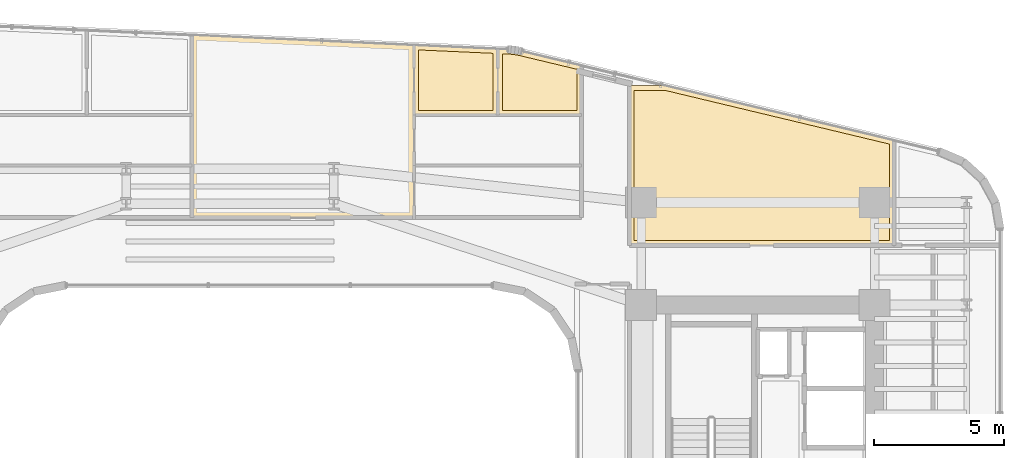
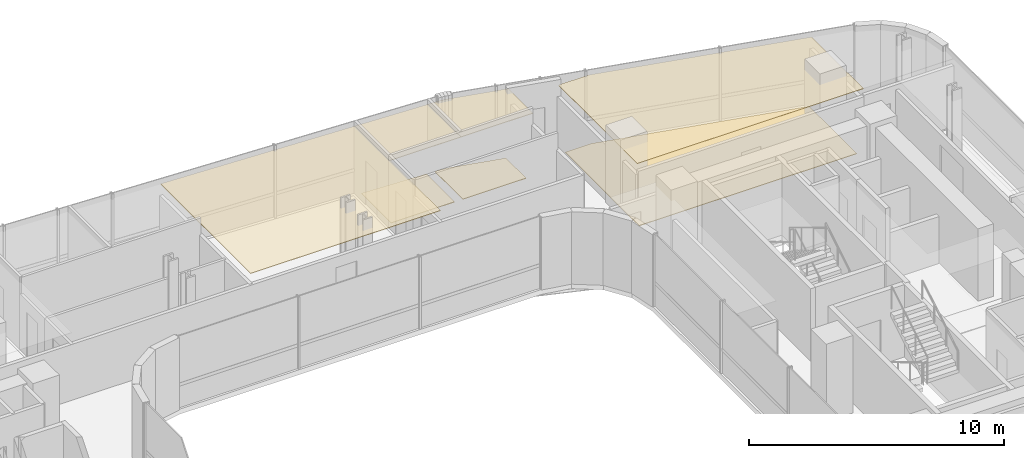
# One storey, part 36 of 36: 7 coverings.
"""IFC4 building model written with IfcOpenShell, lengths in metres."""

import ifcopenshell
import ifcopenshell.guid

model = None  # the IFC model being written
_history = None  # IfcOwnerHistory: only IFC2X3 demands one
_inside = {}  # id of a spatial element -> (the spatial element, [elements in it])
_under = {}  # id of a project, library or spatial element -> (it, [spatial elements below it])
_declared = {}  # id of a project -> (the project, [libraries it declares])
_typed = {}  # id of a type object -> (the type object, [elements of that type])
_made_of = {}  # id of a material, layer set ... -> (it, [elements and type objects made of it])


def new_model(schema):
    """Start an empty IFC model of exactly this schema.

    Asked for "IFC4X3", IfcOpenShell would pick the latest addendum, in which some entities
    have other attributes; the version numbers below select the first issue.
    IFC2X3 requires an IfcOwnerHistory on every rooted entity: one is made here for all.
    """
    global model, _history
    if schema == "IFC4X3":
        model = ifcopenshell.file(schema_version=(4, 3, 0, 0))
    else:
        model = ifcopenshell.file(schema=schema)
    _inside.clear()
    _under.clear()
    _declared.clear()
    _typed.clear()
    _made_of.clear()
    _history = None
    if model.schema == "IFC2X3":
        org = make("IfcOrganization", Name="unknown")
        user = make(
            "IfcPersonAndOrganization",
            ThePerson=make("IfcPerson", FamilyName="unknown"),
            TheOrganization=org,
        )
        app = make(
            "IfcApplication",
            ApplicationDeveloper=org,
            Version="unknown",
            ApplicationFullName="unknown",
            ApplicationIdentifier="unknown",
        )
        _history = make(
            "IfcOwnerHistory",
            OwningUser=user,
            OwningApplication=app,
            ChangeAction="ADDED",
            CreationDate=0,
        )
    return model


def make(cls, **values):
    """One entity of the class cls with the attributes given. An attribute that is None is left unset."""
    return model.create_entity(
        cls, **{name: value for name, value in values.items() if value is not None}
    )


def rooted(cls, **values):
    """An entity with a GlobalId (a new one), such as an element, a storey or a relation."""
    return make(cls, GlobalId=ifcopenshell.guid.new(), OwnerHistory=_history, **values)


def si_unit(unit_type, name, prefix=None):
    """IfcSIUnit, for example si_unit("LENGTHUNIT", "METRE", prefix="MILLI")."""
    return make("IfcSIUnit", UnitType=unit_type, Prefix=prefix, Name=name)


def assignment(units):
    """IfcUnitAssignment: the units of a project."""
    return None if units is None else make("IfcUnitAssignment", Units=units)


def point(xyz):
    """IfcCartesianPoint."""
    return None if xyz is None else make("IfcCartesianPoint", Coordinates=xyz)


def direction(xyz):
    """IfcDirection."""
    return None if xyz is None else make("IfcDirection", DirectionRatios=xyz)


def frame(location, z_axis=None, x_axis=None):
    """IfcAxis2Placement3D, a coordinate frame: its origin and axes. An axis left out is left unset."""
    return make(
        "IfcAxis2Placement3D",
        Location=point(location),
        Axis=direction(z_axis),
        RefDirection=direction(x_axis),
    )


def origin():
    """The frame at (0, 0, 0) with its axes left unset."""
    return frame((0.0, 0.0, 0.0))


def place(relative_to, where):
    """IfcLocalPlacement: puts the frame where relative to a parent placement (None: the world)."""
    return make(
        "IfcLocalPlacement", PlacementRelTo=relative_to, RelativePlacement=where
    )


def context(
    kind, dimensions, precision=None, world=None, true_north=None, identifier=None
):
    """IfcGeometricRepresentationContext, for example the 3D "Model" context."""
    return make(
        "IfcGeometricRepresentationContext",
        ContextIdentifier=identifier,
        ContextType=kind,
        CoordinateSpaceDimension=dimensions,
        Precision=precision,
        WorldCoordinateSystem=world,
        TrueNorth=true_north,
    )


def subcontext(parent, identifier, kind, view, scale=None):
    """IfcGeometricRepresentationSubContext, for example "Body" below "Model"."""
    return make(
        "IfcGeometricRepresentationSubContext",
        ContextIdentifier=identifier,
        ContextType=kind,
        ParentContext=parent,
        TargetScale=scale,
        TargetView=view,
    )


def project(units=None, contexts=None):
    """IfcProject with its units and contexts."""
    return rooted(
        "IfcProject",
        Name="project",
        RepresentationContexts=contexts,
        UnitsInContext=assignment(units),
    )


def spatial(cls, under=None, at=None, **own):
    """A site, building, storey or space (cls), placed at a placement, below another one or the project."""
    s = rooted(cls, ObjectPlacement=at, **own)
    if under is not None:
        _under.setdefault(under.id(), (under, []))[1].append(s)
    return s


def polyline(points):
    """IfcPolyline through the points."""
    return make("IfcPolyline", Points=[point(p) for p in points])


def outline(outer, holes=None, kind="AREA"):
    """IfcArbitraryClosedProfileDef: a profile drawn as a closed curve; with holes, ...WithVoids."""
    if holes is None:
        return make("IfcArbitraryClosedProfileDef", ProfileType=kind, OuterCurve=outer)
    return make(
        "IfcArbitraryProfileDefWithVoids",
        ProfileType=kind,
        OuterCurve=outer,
        InnerCurves=holes,
    )


def extrude(swept, where, along, depth):
    """IfcExtrudedAreaSolid: the profile swept, set in the frame where, extruded along a direction by depth."""
    return make(
        "IfcExtrudedAreaSolid",
        SweptArea=swept,
        Position=where,
        ExtrudedDirection=direction(along),
        Depth=depth,
    )


def shape(context_of_items, identifier, shape_type, items):
    """IfcShapeRepresentation: the items that make up one representation, for example the "Body"."""
    return make(
        "IfcShapeRepresentation",
        ContextOfItems=context_of_items,
        RepresentationIdentifier=identifier,
        RepresentationType=shape_type,
        Items=items,
    )


def material(Name=None, Category=None):
    """IfcMaterial."""
    return make("IfcMaterial", Name=Name, Category=Category)


def layer(
    of_material, thickness, ventilated=None, Name=None, Category=None, Priority=None
):
    """IfcMaterialLayer: one layer of a wall or slab, of a material (None: an air gap)."""
    return make(
        "IfcMaterialLayer",
        Material=of_material,
        LayerThickness=thickness,
        IsVentilated=ventilated,
        Name=Name,
        Category=Category,
        Priority=Priority,
    )


def layer_set(layers, Name=None):
    """IfcMaterialLayerSet."""
    return make("IfcMaterialLayerSet", MaterialLayers=layers, LayerSetName=Name)


def made_of(thing, what):
    """Note that an element or type object is made of a material, layer set ...; save() writes the relation."""
    if what is not None:
        _made_of.setdefault(what.id(), (what, []))[1].append(thing)
    return thing


def type_object(cls, material=None, **own):
    """A type object (cls), such as IfcWallType, which elements share."""
    return made_of(rooted(cls, **own), material)


def element(
    cls,
    number,
    at=None,
    inside=None,
    cuts=None,
    type_object=None,
    material=None,
    context=None,
    identifier="Body",
    shape_type=None,
    held_by="IfcProductDefinitionShape",
    body=None,
    shapes=None,
    **own,
):
    """One element of the class cls, such as IfcWall. Its Tag is "e" and its number.

    at: its placement. inside: the storey or other place that contains it. cuts: it is an
    opening in that element (IfcRelVoidsElement). A single representation is given by context,
    identifier, shape_type and body (its items); several are given by shapes. held_by: the class
    of the entity that holds the representations. save() writes the other relations.
    """
    e = rooted(cls, Tag="e%d" % number, ObjectPlacement=at, **own)
    if body is not None:
        shapes = [shape(context, identifier, shape_type, body)]
    if shapes is not None:
        e.Representation = make(held_by, Representations=shapes)
    if inside is not None:
        _inside.setdefault(inside.id(), (inside, []))[1].append(e)
    if cuts is not None:
        rooted(
            "IfcRelVoidsElement", RelatingBuildingElement=cuts, RelatedOpeningElement=e
        )
    if type_object is not None:
        _typed.setdefault(type_object.id(), (type_object, []))[1].append(e)
    return made_of(e, material)


def aggregate(whole, parts):
    """IfcRelAggregates: a whole, such as a stair, and the parts it consists of."""
    return rooted("IfcRelAggregates", RelatingObject=whole, RelatedObjects=parts)


def save(model, path):
    """Write the relations noted so far, then the file.

    IfcRelAggregates (storeys below a building ...), IfcRelContainedInSpatialStructure (elements
    in a storey), IfcRelDefinesByType, IfcRelAssociatesMaterial and IfcRelDeclares: one each for
    every whole, place, type object, material and project.
    """
    for whole, parts in _under.values():
        aggregate(whole, parts)
    for where, things in _inside.values():
        rooted(
            "IfcRelContainedInSpatialStructure",
            RelatedElements=things,
            RelatingStructure=where,
        )
    for kind, things in _typed.values():
        rooted("IfcRelDefinesByType", RelatedObjects=things, RelatingType=kind)
    for what, things in _made_of.values():
        rooted("IfcRelAssociatesMaterial", RelatedObjects=things, RelatingMaterial=what)
    for by, libraries in _declared.values():
        rooted("IfcRelDeclares", RelatingContext=by, RelatedDefinitions=libraries)
    model.write(path)


model = new_model("IFC4")

# Units and contexts
model_context = context("Model", 3, precision=1e-05, world=origin(), true_north=direction((0.0, 1.0)))
body_context = subcontext(model_context, "Body", "Model", "MODEL_VIEW")
ifc_project = project(units=[si_unit("LENGTHUNIT", "METRE"), si_unit("AREAUNIT", "SQUARE_METRE"), si_unit("VOLUMEUNIT", "CUBIC_METRE"), si_unit("PLANEANGLEUNIT", "RADIAN"), si_unit("MASSUNIT", "GRAM", prefix="KILO")], contexts=[model_context])

# Site, building, storey
site_placement = place(None, origin())
site = spatial("IfcSite", under=ifc_project, at=site_placement, CompositionType="ELEMENT")
building_placement = place(site_placement, origin())
building = spatial("IfcBuilding", under=site, at=building_placement, Name="Valdorenza Pilgrim Sanctuary Tower", CompositionType="ELEMENT")
storey_placement = place(building_placement, frame((0.0, 0.0, 109.39990234375)))
storey = spatial("IfcBuildingStorey", under=building, at=storey_placement, Name="L27", CompositionType="ELEMENT", Elevation=109.39990234375)

# Coverings
ifc_material_1 = material(Name="Micro-perforated acoustic mineral ceiling tile", Category="gypsum")
ifc_layer_1 = layer(ifc_material_1, 0.02490234375, Name="Micro-perforated acoustic mineral ceiling tile")
ifc_layer_set_1 = layer_set([ifc_layer_1], Name="Micro-perforated acoustic mineral ceiling tile")
covering_type_1 = type_object("IfcCoveringType", Name="COV-CLG-ACU", PredefinedType="CEILING", material=ifc_layer_set_1)
covering_1_placement = place(storey_placement, frame((0.0, 0.0, 3.16015625)))
element("IfcCovering", 1, at=covering_1_placement, inside=storey, type_object=covering_type_1, Name="L27 North Family Flat L27-N3 Bedroom 1 Acoustic Ceiling", PredefinedType="CEILING", context=body_context, shape_type="SweptSolid", body=[
    extrude(outline(polyline([(7.0908203125, 16.85498046875), (7.08935546875, 16.85498046875), (7.087890625, 16.855224609375), (7.08642578125, 16.855712890625), (7.085205078125, 16.856201171875), (7.083740234375, 16.856689453125), (7.08251953125, 16.857421875), (7.081298828125, 16.8583984375), (7.080078125, 16.859375), (7.0791015625, 16.860595703125), (7.078369140625, 16.86181640625), (7.07763671875, 16.86279296875), (7.076904296875, 16.8642578125), (7.076416015625, 16.865478515625), (7.076171875, 16.8671875), (7.075927734375, 16.868408203125), (7.07568359375, 16.8701171875), (7.07568359375, 19.567626953125), (7.075927734375, 19.569091796875), (7.076171875, 19.570556640625), (7.076416015625, 19.572021484375), (7.076904296875, 19.573486328125), (7.07763671875, 19.57470703125), (7.07861328125, 19.576171875), (7.079345703125, 19.577392578125), (7.080322265625, 19.578369140625), (7.08154296875, 19.579345703125), (7.082763671875, 19.580322265625), (7.083984375, 19.5810546875), (7.08544921875, 19.58154296875), (7.0869140625, 19.58203125), (7.08837890625, 19.58251953125), (7.090087890625, 19.58251953125), (7.091552734375, 19.58251953125), (10.321044921875, 19.435791015625), (10.322509765625, 19.435546875), (10.323974609375, 19.435302734375), (10.3251953125, 19.43505859375), (10.32666015625, 19.434326171875), (10.327880859375, 19.433837890625), (10.3291015625, 19.43310546875), (10.330078125, 19.43212890625), (10.331298828125, 19.43115234375), (10.332275390625, 19.43017578125), (10.3330078125, 19.428955078125), (10.333740234375, 19.427734375), (10.334228515625, 19.426513671875), (10.334716796875, 19.425048828125), (10.335205078125, 19.423583984375), (10.335205078125, 19.422119140625), (10.33544921875, 19.4208984375), (10.33544921875, 16.8701171875), (10.335205078125, 16.868408203125), (10.335205078125, 16.8671875), (10.334716796875, 16.865478515625), (10.334228515625, 16.8642578125), (10.33349609375, 16.86279296875), (10.3330078125, 16.86181640625), (10.33203125, 16.860595703125), (10.3310546875, 16.859375), (10.329833984375, 16.8583984375), (10.32861328125, 16.857421875), (10.327392578125, 16.856689453125), (10.326171875, 16.856201171875), (10.32470703125, 16.855712890625), (10.3232421875, 16.855224609375), (10.322021484375, 16.85498046875), (10.3203125, 16.85498046875), (7.0908203125, 16.85498046875)])), origin(), (0.0, 0.0, 1.0), 0.02490234375),
])
covering_2_placement = place(storey_placement, frame((0.0, 0.0, 3.16015625)))
element("IfcCovering", 2, at=covering_2_placement, inside=storey, type_object=covering_type_1, Name="L27 North Family Flat L27-N3 Bedroom 2 Acoustic Ceiling", PredefinedType="CEILING", context=body_context, shape_type="SweptSolid", body=[
    extrude(outline(polyline([(10.322509765625, 16.85498046875), (10.32080078125, 16.85498046875), (10.319580078125, 16.855224609375), (10.318115234375, 16.855712890625), (10.316650390625, 16.856201171875), (10.315185546875, 16.856689453125), (10.314208984375, 16.857421875), (10.31298828125, 16.8583984375), (10.311767578125, 16.859375), (10.310791015625, 16.860595703125), (10.309814453125, 16.86181640625), (10.30908203125, 16.86279296875), (10.30859375, 16.8642578125), (10.30810546875, 16.865478515625), (10.3076171875, 16.8671875), (10.3076171875, 16.868408203125), (10.307373046875, 16.8701171875), (10.307373046875, 19.420654296875), (10.3076171875, 19.422119140625), (10.3076171875, 19.423583984375), (10.30810546875, 19.42529296875), (10.30859375, 19.426513671875), (10.309326171875, 19.427978515625), (10.31005859375, 19.42919921875), (10.31103515625, 19.430419921875), (10.31201171875, 19.431396484375), (10.313232421875, 19.4326171875), (10.314453125, 19.433349609375), (10.315673828125, 19.43408203125), (10.317138671875, 19.434814453125), (10.318603515625, 19.435302734375), (10.320068359375, 19.435546875), (10.321533203125, 19.435791015625), (10.322998046875, 19.435791015625), (10.690673828125, 19.4189453125), (10.69091796875, 19.4189453125), (10.838134765625, 19.40869140625), (10.8388671875, 19.40869140625), (10.984375, 19.3916015625), (10.985107421875, 19.3916015625), (11.12939453125, 19.36767578125), (11.130126953125, 19.36767578125), (11.274658203125, 19.336669921875), (11.27490234375, 19.33642578125), (13.553466796875, 18.791015625), (13.554931640625, 18.790771484375), (13.55615234375, 18.790283203125), (13.5576171875, 18.78955078125), (13.55859375, 18.788818359375), (13.559814453125, 18.787841796875), (13.560791015625, 18.786865234375), (13.561767578125, 18.785888671875), (13.5625, 18.78466796875), (13.563232421875, 18.783447265625), (13.56396484375, 18.781982421875), (13.564453125, 18.78076171875), (13.564697265625, 18.779296875), (13.56494140625, 18.778076171875), (13.56494140625, 18.776611328125), (13.56494140625, 16.8701171875), (13.56494140625, 16.868408203125), (13.564697265625, 16.8671875), (13.564453125, 16.865478515625), (13.56396484375, 16.8642578125), (13.563232421875, 16.86279296875), (13.5625, 16.86181640625), (13.5615234375, 16.860595703125), (13.560546875, 16.859375), (13.5595703125, 16.8583984375), (13.558349609375, 16.857421875), (13.55712890625, 16.856689453125), (13.5556640625, 16.856201171875), (13.554443359375, 16.855712890625), (13.552978515625, 16.855224609375), (13.551513671875, 16.85498046875), (13.550048828125, 16.85498046875), (10.322509765625, 16.85498046875)])), origin(), (0.0, 0.0, 1.0), 0.02490234375),
])
covering_3_placement = place(storey_placement, frame((0.0, 0.0, 3.16015625)))
element("IfcCovering", 3, at=covering_3_placement, inside=storey, type_object=covering_type_1, Name="L27 North Family Flat L27-N3 Living Room Acoustic Ceiling", PredefinedType="CEILING", context=body_context, shape_type="SweptSolid", body=[
    extrude(outline(polyline([(-1.47998046875, 14.918212890625), (-1.47998046875, 14.9189453125), (-1.480224609375, 14.92041015625), (-1.480224609375, 14.922119140625), (-1.47998046875, 14.923583984375), (-1.47998046875, 14.923828125), (-1.47998046875, 16.8662109375), (-1.47998046875, 16.866943359375), (-1.480224609375, 16.868408203125), (-1.480224609375, 16.8701171875), (-1.47998046875, 16.87158203125), (-1.47998046875, 16.871826171875), (-1.47998046875, 19.95654296875), (-1.47998046875, 19.9580078125), (-1.479736328125, 19.95947265625), (-1.479248046875, 19.9609375), (-1.478759765625, 19.96240234375), (-1.47802734375, 19.963623046875), (-1.477294921875, 19.965087890625), (-1.476318359375, 19.96630859375), (-1.475341796875, 19.96728515625), (-1.47412109375, 19.96826171875), (-1.472900390625, 19.96923828125), (-1.4716796875, 19.969970703125), (-1.47021484375, 19.970458984375), (-1.46875, 19.970947265625), (-1.46728515625, 19.97119140625), (-1.4658203125, 19.971435546875), (-1.46435546875, 19.971435546875), (7.089599609375, 19.58251953125), (7.0908203125, 19.58251953125), (7.09228515625, 19.582275390625), (7.09375, 19.581787109375), (7.094970703125, 19.581298828125), (7.09619140625, 19.580810546875), (7.097412109375, 19.579833984375), (7.0986328125, 19.5791015625), (7.099609375, 19.577880859375), (7.1005859375, 19.576904296875), (7.101318359375, 19.57568359375), (7.10205078125, 19.574462890625), (7.102783203125, 19.5732421875), (7.103271484375, 19.572021484375), (7.103515625, 19.570556640625), (7.103759765625, 19.569091796875), (7.103759765625, 19.567626953125), (7.103759765625, 16.87548828125), (7.10400390625, 16.875), (7.104736328125, 16.87353515625), (7.105224609375, 16.872314453125), (7.10546875, 16.870849609375), (7.105712890625, 16.869384765625), (7.105712890625, 16.867919921875), (7.105712890625, 12.919921875), (7.105712890625, 12.91845703125), (7.10546875, 12.9169921875), (7.105224609375, 12.91552734375), (7.104736328125, 12.914306640625), (7.10400390625, 12.912841796875), (7.103271484375, 12.91162109375), (7.102294921875, 12.910400390625), (7.101318359375, 12.909423828125), (7.100341796875, 12.908447265625), (7.09912109375, 12.907470703125), (7.097900390625, 12.90673828125), (7.096435546875, 12.906005859375), (7.09521484375, 12.905517578125), (7.09375, 12.9052734375), (7.09228515625, 12.905029296875), (7.0908203125, 12.905029296875), (-1.465087890625, 12.905029296875), (-1.466552734375, 12.905029296875), (-1.468017578125, 12.9052734375), (-1.469482421875, 12.905517578125), (-1.470703125, 12.906005859375), (-1.47216796875, 12.90673828125), (-1.473388671875, 12.907470703125), (-1.474609375, 12.908447265625), (-1.4755859375, 12.909423828125), (-1.4765625, 12.910400390625), (-1.4775390625, 12.91162109375), (-1.478271484375, 12.912841796875), (-1.47900390625, 12.914306640625), (-1.4794921875, 12.91552734375), (-1.479736328125, 12.9169921875), (-1.47998046875, 12.91845703125), (-1.47998046875, 12.919921875), (-1.47998046875, 14.918212890625)])), origin(), (0.0, 0.0, 1.0), 0.02490234375),
])
covering_4_placement = place(storey_placement, frame((0.0, 0.0, 3.16015625)))
element("IfcCovering", 4, at=covering_4_placement, inside=storey, type_object=covering_type_1, Name="L27 Curator Research Office L27-BN1 Acoustic Ceiling", PredefinedType="CEILING", context=body_context, shape_type="SweptSolid", body=[
    extrude(outline(polyline([(15.39990234375, 11.8349609375), (15.3984375, 11.835205078125), (15.397216796875, 11.835205078125), (15.3955078125, 11.835693359375), (15.394287109375, 11.836181640625), (15.392822265625, 11.8369140625), (15.3916015625, 11.83740234375), (15.390380859375, 11.83837890625), (15.389404296875, 11.83935546875), (15.388427734375, 11.840576171875), (15.387451171875, 11.841796875), (15.38671875, 11.843017578125), (15.385986328125, 11.84423828125), (15.385498046875, 11.845703125), (15.38525390625, 11.84716796875), (15.385009765625, 11.848388671875), (15.385009765625, 11.85009765625), (15.385009765625, 18.0), (15.385009765625, 18.00146484375), (15.38525390625, 18.0029296875), (15.385498046875, 18.00439453125), (15.385986328125, 18.005615234375), (15.38671875, 18.007080078125), (15.387451171875, 18.00830078125), (15.388427734375, 18.009521484375), (15.389404296875, 18.010498046875), (15.390380859375, 18.01171875), (15.3916015625, 18.012451171875), (15.392822265625, 18.01318359375), (15.394287109375, 18.013916015625), (15.3955078125, 18.014404296875), (15.397216796875, 18.0146484375), (15.3984375, 18.014892578125), (15.39990234375, 18.014892578125), (16.794189453125, 18.014892578125), (16.7958984375, 18.014892578125), (16.797607421875, 18.0146484375), (25.603515625, 15.90673828125), (25.60498046875, 15.906494140625), (25.606201171875, 15.906005859375), (25.607421875, 15.9052734375), (25.608642578125, 15.904541015625), (25.60986328125, 15.903564453125), (25.61083984375, 15.902587890625), (25.61181640625, 15.901611328125), (25.612548828125, 15.900390625), (25.61328125, 15.899169921875), (25.614013671875, 15.897705078125), (25.614501953125, 15.896484375), (25.61474609375, 15.89501953125), (25.614990234375, 15.893798828125), (25.614990234375, 15.892333984375), (25.614990234375, 11.85009765625), (25.614990234375, 11.848388671875), (25.61474609375, 11.84716796875), (25.614501953125, 11.845703125), (25.614013671875, 11.84423828125), (25.61328125, 11.843017578125), (25.612548828125, 11.841796875), (25.611572265625, 11.840576171875), (25.610595703125, 11.83935546875), (25.609619140625, 11.83837890625), (25.6083984375, 11.83740234375), (25.607177734375, 11.8369140625), (25.605712890625, 11.836181640625), (25.6044921875, 11.835693359375), (25.602783203125, 11.835205078125), (25.6015625, 11.835205078125), (25.60009765625, 11.8349609375), (15.39990234375, 11.8349609375)])), origin(), (0.0, 0.0, 1.0), 0.02490234375),
])
ifc_material_2 = material(Name="Engineered European oak timber flooring", Category="wood")
ifc_layer_2 = layer(ifc_material_2, 0.02197265625, Name="Engineered European oak timber flooring")
ifc_layer_set_2 = layer_set([ifc_layer_2], Name="Engineered European oak timber flooring")
covering_type_2 = type_object("IfcCoveringType", Name="COV-FLR-OAK", PredefinedType="FLOORING", material=ifc_layer_set_2)
covering_5_placement = place(storey_placement, origin())
element("IfcCovering", 5, at=covering_5_placement, inside=storey, type_object=covering_type_2, Name="L27 North Family Flat L27-N3 Bedroom 1 Flooring", PredefinedType="FLOORING", context=body_context, shape_type="SweptSolid", body=[
    extrude(outline(polyline([(7.270751953125, 17.050048828125), (7.270751953125, 19.379150390625), (10.140380859375, 19.248779296875), (10.140380859375, 17.050048828125), (7.270751953125, 17.050048828125)])), origin(), (0.0, 0.0, 1.0), 0.025146484375),
])
covering_6_placement = place(storey_placement, origin())
element("IfcCovering", 6, at=covering_6_placement, inside=storey, type_object=covering_type_2, Name="L27 North Family Flat L27-N3 Bedroom 2 Flooring", PredefinedType="FLOORING", context=body_context, shape_type="SweptSolid", body=[
    extrude(outline(polyline([(10.50244140625, 17.050048828125), (10.50244140625, 19.232421875), (10.6796875, 19.224365234375), (10.820556640625, 19.214599609375), (10.95751953125, 19.198486328125), (11.093505859375, 19.176025390625), (11.231689453125, 19.146484375), (13.3701171875, 18.634521484375), (13.3701171875, 17.050048828125), (10.50244140625, 17.050048828125)])), origin(), (0.0, 0.0, 1.0), 0.025146484375),
])
ifc_material_3 = material(Name="Honed travertine stone flooring", Category="masonry")
ifc_layer_3 = layer(ifc_material_3, 0.030029296875, Name="Honed travertine stone flooring")
ifc_layer_set_3 = layer_set([ifc_layer_3], Name="Honed travertine stone flooring")
covering_type_3 = type_object("IfcCoveringType", Name="COV-FLR-TRV", PredefinedType="FLOORING", material=ifc_layer_set_3)
covering_7_placement = place(storey_placement, origin())
element("IfcCovering", 7, at=covering_7_placement, inside=storey, type_object=covering_type_3, Name="L27 Curator Research Office L27-BN1 Flooring", PredefinedType="FLOORING", context=body_context, shape_type="SweptSolid", body=[
    extrude(outline(polyline([(15.580078125, 12.030029296875), (15.580078125, 17.820068359375), (16.77294921875, 17.820068359375), (25.419921875, 15.750244140625), (25.419921875, 12.030029296875), (15.580078125, 12.030029296875)])), origin(), (0.0, 0.0, 1.0), 0.025146484375),
])

save(model, "model.ifc")
